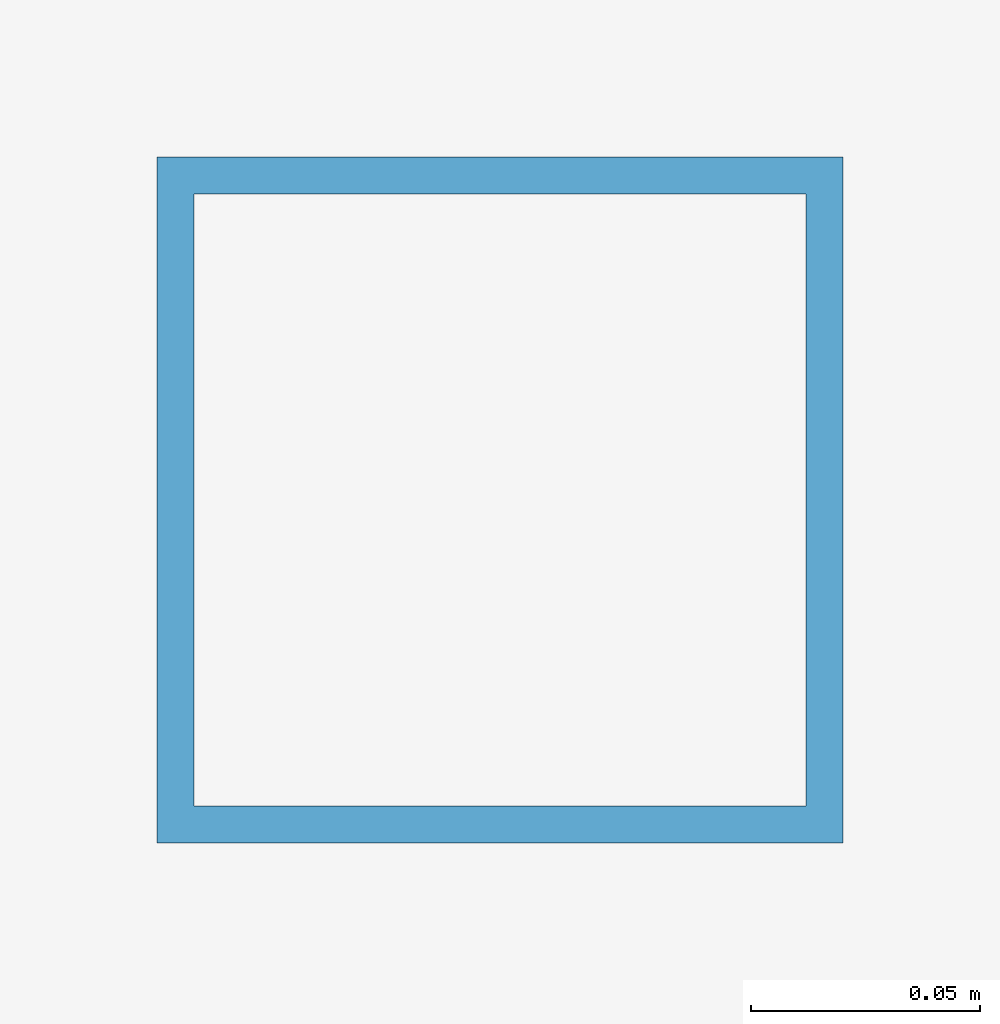
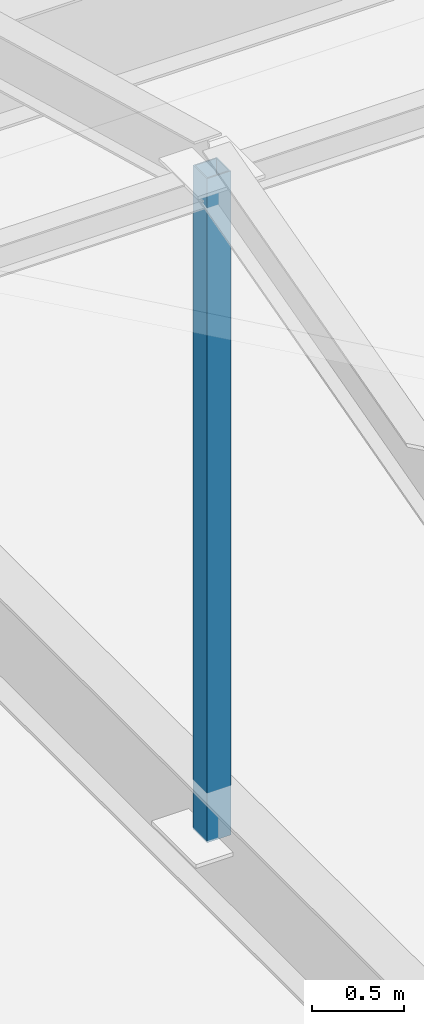
# One storey, part 31 of 112: 1 member.
"""IFC4 building model written with IfcOpenShell, lengths in metres."""

from ifc_helpers import new_model, si_unit, direction, frame, origin, origin_2d, place, context, subcontext, project, spatial, hollow_rectangle, extrude, material, material_profile, profile_set, type_object, element, save


model = new_model("IFC4")

# Units and contexts
model_context = context("Model", 3, precision=1e-05, world=origin(), true_north=direction((0.0, 1.0)))
body_context = subcontext(model_context, "Body", "Model", "MODEL_VIEW")
ifc_project = project(units=[si_unit("LENGTHUNIT", "METRE"), si_unit("AREAUNIT", "SQUARE_METRE"), si_unit("VOLUMEUNIT", "CUBIC_METRE"), si_unit("PLANEANGLEUNIT", "RADIAN"), si_unit("MASSUNIT", "GRAM", prefix="KILO")], contexts=[model_context])

# Site, building, storey
site_placement = place(None, origin())
site = spatial("IfcSite", under=ifc_project, at=site_placement, CompositionType="ELEMENT")
building_placement = place(site_placement, origin())
building = spatial("IfcBuilding", under=site, at=building_placement, Name="Cinderbank Siding Concert Hall", CompositionType="ELEMENT")
storey_placement = place(building_placement, frame((0.0, 0.0, 10.199951171875)))
storey = spatial("IfcBuildingStorey", under=building, at=storey_placement, Name="L03", CompositionType="ELEMENT", Elevation=10.199951171875)

# Member
ifc_material = material(Name="Structural steel hollow section AS/NZS 1163 Grade C350L0 (350 MPa)", Category="steel")
ifc_material_profile = material_profile(ifc_material, hollow_rectangle(XDim=0.14990234375, YDim=0.14990234375, WallThickness=0.008056640625, at=origin_2d()), Name="150x150x8.0SHS", Category="LoadBearing")
ifc_profile_set = profile_set([ifc_material_profile], Name="Structural steel hollow section AS/NZS 1163 Grade C350L0 (350 MPa)")
member_type = type_object("IfcMemberType", Name="BR-SHS150 150x150x8.0SHS Roof Truss", PredefinedType="BRACE", material=ifc_profile_set)
member_placement = place(storey_placement, frame((37.39990234375, 20.800048828125, 4.150146484375), z_axis=(0.0, 0.0, 1.0), x_axis=(1.0, 0.0, 0.0)))
element("IfcMember", 1, at=member_placement, inside=storey, type_object=member_type, Name="L03 Diagonal Brace BR-SHS150 #V2WB-BR-SHS150-L03-2399", PredefinedType="BRACE", context=body_context, shape_type="SweptSolid", body=[
    extrude(hollow_rectangle(XDim=0.14990234375, YDim=0.14990234375, WallThickness=0.008056640625, at=origin_2d()), origin(), (0.0, 0.0, 1.0), 4.39990234375),
])

save(model, "model.ifc")
